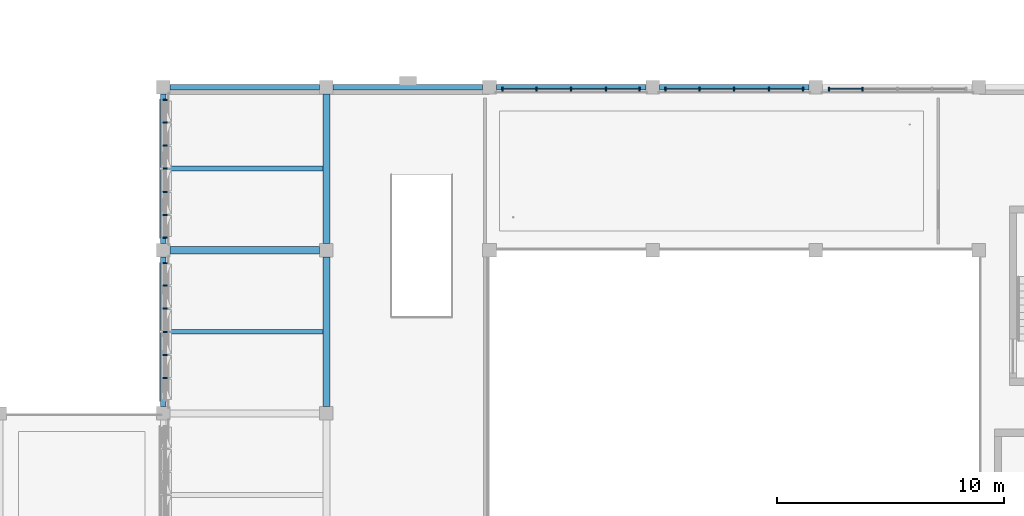
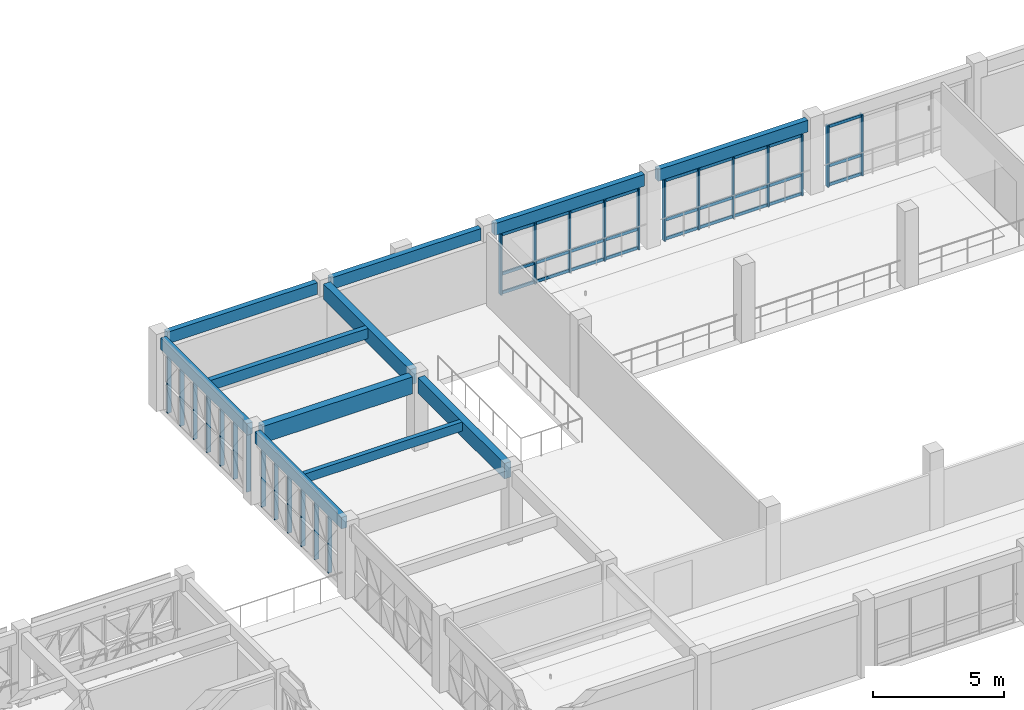
# One storey, part 12 of 85: 52 members, 11 beams, 5 elements without a shape of their own.
"""IFC4 building model written with IfcOpenShell, lengths in metres."""

from ifc_helpers import new_model, si_unit, direction, frame, origin, origin_2d, place, context, subcontext, project, spatial, rectangle, extrude, material, material_profile, profile_set, type_object, element, aggregate, save


model = new_model("IFC4")

# Units and contexts
model_context = context("Model", 3, precision=1e-05, world=origin(), true_north=direction((0.0, 1.0)))
body_context = subcontext(model_context, "Body", "Model", "MODEL_VIEW")
ifc_project = project(units=[si_unit("LENGTHUNIT", "METRE"), si_unit("AREAUNIT", "SQUARE_METRE"), si_unit("VOLUMEUNIT", "CUBIC_METRE"), si_unit("PLANEANGLEUNIT", "RADIAN"), si_unit("MASSUNIT", "GRAM", prefix="KILO")], contexts=[model_context])

# Site, building, storey
site_placement = place(None, origin())
site = spatial("IfcSite", under=ifc_project, at=site_placement, CompositionType="ELEMENT")
building_placement = place(site_placement, origin())
building = spatial("IfcBuilding", under=site, at=building_placement, Name="Alvorim Cloister Faculty of Sciences", CompositionType="ELEMENT")
storey_placement = place(building_placement, frame((0.0, 0.0, 8.550048828125)))
storey = spatial("IfcBuildingStorey", under=building, at=storey_placement, Name="L02", CompositionType="ELEMENT", Elevation=8.550048828125)

# Beams
ifc_material_1 = material(Name="Glulam GL32h", Category="wood")
ifc_material_profile_1 = material_profile(ifc_material_1, rectangle(XDim=0.300048828125, YDim=0.719970703125, at=origin_2d()), Name="GL32-BM-300x720")
ifc_profile_set_1 = profile_set([ifc_material_profile_1], Name="Glulam GL32h")
beam_type_1 = type_object("IfcBeamType", Name="BM-GL-300x720", PredefinedType="BEAM", material=ifc_profile_set_1)
for number, where, z_axis, x_axis, name in (
    (1, (72.0, 14.699951171875, 3.030029296875), (0.0, 1.0, 0.0), (-1.0, 0.0, 0.0), "L02 Primary Girder BM-1427"),
    (2, (72.0, 21.89990234375, 3.030029296875), (0.0, 1.0, 0.0), (-1.0, 0.0, 0.0), "L02 Primary Girder BM-1428"),
):
    element("IfcBeam", number, at=place(storey_placement, frame(where, z_axis=z_axis, x_axis=x_axis)), inside=storey, type_object=beam_type_1, Name=name, PredefinedType="BEAM", context=body_context, shape_type="SweptSolid", body=[
        extrude(rectangle(XDim=0.300048828125, YDim=0.719970703125, at=origin_2d()), origin(), (0.0, 0.0, 1.0), 6.60009765625),
    ])
ifc_material_profile_2 = material_profile(ifc_material_1, rectangle(XDim=0.320068359375, YDim=0.780029296875, at=origin_2d()), Name="GL32-BM-320x780")
ifc_profile_set_2 = profile_set([ifc_material_profile_2], Name="Glulam GL32h")
beam_type_2 = type_object("IfcBeamType", Name="BM-GL-320x780", PredefinedType="BEAM", material=ifc_profile_set_2)
beam_1_placement = place(storey_placement, frame((65.10009765625, 21.60009765625, 3.0), z_axis=(1.0, 0.0, 0.0), x_axis=(0.0, 1.0, 0.0)))
element("IfcBeam", 3, at=beam_1_placement, inside=storey, type_object=beam_type_2, Name="L02 Primary Beam BM-1277", PredefinedType="BEAM", context=body_context, shape_type="SweptSolid", body=[
    extrude(rectangle(XDim=0.320068359375, YDim=0.780029296875, at=origin_2d()), origin(), (0.0, 0.0, 1.0), 6.599853515625),
])
ifc_material_2 = material(Name="Glulam GL28h", Category="wood")
ifc_material_profile_3 = material_profile(ifc_material_2, rectangle(XDim=0.199951171875, YDim=0.419921875, at=origin_2d()), Name="GL28-JST-200x420")
ifc_profile_set_3 = profile_set([ifc_material_profile_3], Name="Glulam GL28h")
beam_type_3 = type_object("IfcBeamType", Name="BM-JST-GL-200x420", PredefinedType="JOIST", material=ifc_profile_set_3)
beam_2_placement = place(storey_placement, frame((64.919921875, 18.0, 3.179931640625), z_axis=(1.0, 0.0, 0.0), x_axis=(0.0, 1.0, 0.0)))
element("IfcBeam", 4, at=beam_2_placement, inside=storey, type_object=beam_type_3, Name="L02 Secondary Floor Joist BM-1495", PredefinedType="JOIST", context=body_context, shape_type="SweptSolid", body=[
    extrude(rectangle(XDim=0.199951171875, YDim=0.419921875, at=origin_2d()), origin(), (0.0, 0.0, 1.0), 6.93017578125),
])
ifc_material_profile_4 = material_profile(ifc_material_2, rectangle(XDim=0.219970703125, YDim=0.47998046875, at=origin_2d()), Name="GL28-JST-220x480")
ifc_profile_set_4 = profile_set([ifc_material_profile_4], Name="Glulam GL28h")
beam_type_4 = type_object("IfcBeamType", Name="BM-JST-GL-220x480", PredefinedType="JOIST", material=ifc_profile_set_4)
beam_3_placement = place(storey_placement, frame((64.919921875, 25.199951171875, 3.14990234375), z_axis=(1.0, 0.0, 0.0), x_axis=(0.0, 1.0, 0.0)))
element("IfcBeam", 5, at=beam_3_placement, inside=storey, type_object=beam_type_4, Name="L02 Secondary Floor Joist BM-1496", PredefinedType="JOIST", context=body_context, shape_type="SweptSolid", body=[
    extrude(rectangle(XDim=0.219970703125, YDim=0.47998046875, at=origin_2d()), origin(), (0.0, 0.0, 1.0), 6.93017578125),
])
ifc_material_profile_5 = material_profile(ifc_material_2, rectangle(XDim=0.239990234375, YDim=0.5400390625, at=origin_2d()), Name="GL28-SPD-240x540")
ifc_profile_set_5 = profile_set([ifc_material_profile_5], Name="Glulam GL28h")
beam_type_5 = type_object("IfcBeamType", Name="BM-SPD-GL-240x540", PredefinedType="SPANDREL", material=ifc_profile_set_5)
for number, where, z_axis, x_axis, name in (
    (6, (65.10009765625, 28.800048828125, 3.119873046875), (1.0, 0.0, 0.0), (0.0, 1.0, 0.0), "L02 Primary Beam BM-1281"),
    (7, (72.300048828125, 28.800048828125, 3.119873046875), (1.0, 0.0, 0.0), (0.0, 1.0, 0.0), "L02 Primary Beam BM-1282"),
):
    element("IfcBeam", number, at=place(storey_placement, frame(where, z_axis=z_axis, x_axis=x_axis)), inside=storey, type_object=beam_type_5, Name=name, PredefinedType="SPANDREL", context=body_context, shape_type="SweptSolid", body=[
        extrude(rectangle(XDim=0.239990234375, YDim=0.5400390625, at=origin_2d()), origin(), (0.0, 0.0, 1.0), 6.599853515625),
    ])
for number, where, z_axis, x_axis, name in (
    (8, (79.5, 28.800048828125, 3.119873046875), (1.0, 0.0, 0.0), (0.0, 1.0, 0.0), "L02 Primary Beam BM-1283"),
    (9, (86.699951171875, 28.800048828125, 3.119873046875), (1.0, 0.0, 0.0), (0.0, 1.0, 0.0), "L02 Primary Beam BM-1284"),
    (10, (64.800048828125, 14.699951171875, 3.119873046875), (0.0, 1.0, 0.0), (-1.0, 0.0, 0.0), "L02 Primary Girder BM-1421"),
    (11, (64.800048828125, 21.89990234375, 3.119873046875), (0.0, 1.0, 0.0), (-1.0, 0.0, 0.0), "L02 Primary Girder BM-1422"),
):
    element("IfcBeam", number, at=place(storey_placement, frame(where, z_axis=z_axis, x_axis=x_axis)), inside=storey, type_object=beam_type_5, Name=name, PredefinedType="SPANDREL", context=body_context, shape_type="SweptSolid", body=[
        extrude(rectangle(XDim=0.239990234375, YDim=0.5400390625, at=origin_2d()), origin(), (0.0, 0.0, 1.0), 6.60009765625),
    ])

# Curtain wall, members
ifc_material_3 = material(Name="Aluminium and Low-E Glass Curtain Wall", Category="aluminium")
curtain_wall_type_1 = type_object("IfcCurtainWallType", Name="CW-TRI-6120x2850", PredefinedType="USERDEFINED", material=ifc_material_3)
curtain_wall_1_placement = place(storey_placement, origin())
curtain_wall_1 = element("IfcCurtainWall", 12, at=curtain_wall_1_placement, inside=storey, type_object=curtain_wall_type_1, Name="L02 Diagonal Cassette Curtain Wall CW-0095", ObjectType="UNITISED CURTAIN WALL", PredefinedType="USERDEFINED")
ifc_material_4 = material(Name="Aluminium Alloy 6063-T6", Category="aluminium")
ifc_material_profile_6 = material_profile(ifc_material_4, rectangle(XDim=0.06494140625, YDim=0.179931640625, at=origin_2d()), Name="ALU-MUL-65x180")
ifc_profile_set_6 = profile_set([ifc_material_profile_6], Name="Aluminium Alloy 6063-T6")
member_type_1 = type_object("IfcMemberType", Name="CW-MUL-65x180", PredefinedType="MULLION", material=ifc_profile_set_6)
member_1_placement = place(storey_placement, frame((64.889892578125, 15.9599609375, 0.0), z_axis=(0.0, 0.0, 1.0), x_axis=(0.0, 1.0, 0.0)))
member_1 = element("IfcMember", 13, at=member_1_placement, type_object=member_type_1, Name="CW-0095 Mullion 2", PredefinedType="MULLION", context=body_context, shape_type="SweptSolid", body=[
    extrude(rectangle(XDim=0.06494140625, YDim=0.179931640625, at=origin_2d()), origin(), (0.0, 0.0, 1.0), 2.849853515625),
])
member_2_placement = place(storey_placement, frame((64.889892578125, 16.97998046875, 0.0), z_axis=(0.0, 0.0, 1.0), x_axis=(0.0, 1.0, 0.0)))
member_2 = element("IfcMember", 14, at=member_2_placement, type_object=member_type_1, Name="CW-0095 Mullion 3", PredefinedType="MULLION", context=body_context, shape_type="SweptSolid", body=[
    extrude(rectangle(XDim=0.06494140625, YDim=0.179931640625, at=origin_2d()), origin(), (0.0, 0.0, 1.0), 2.849853515625),
])
member_3_placement = place(storey_placement, frame((64.889892578125, 18.0, 0.0), z_axis=(0.0, 0.0, 1.0), x_axis=(0.0, 1.0, 0.0)))
member_3 = element("IfcMember", 15, at=member_3_placement, type_object=member_type_1, Name="CW-0095 Mullion 4", PredefinedType="MULLION", context=body_context, shape_type="SweptSolid", body=[
    extrude(rectangle(XDim=0.06494140625, YDim=0.179931640625, at=origin_2d()), origin(), (0.0, 0.0, 1.0), 2.849853515625),
])
member_4_placement = place(storey_placement, frame((64.889892578125, 19.02001953125, 0.0), z_axis=(0.0, 0.0, 1.0), x_axis=(0.0, 1.0, 0.0)))
member_4 = element("IfcMember", 16, at=member_4_placement, type_object=member_type_1, Name="CW-0095 Mullion 5", PredefinedType="MULLION", context=body_context, shape_type="SweptSolid", body=[
    extrude(rectangle(XDim=0.06494140625, YDim=0.179931640625, at=origin_2d()), origin(), (0.0, 0.0, 1.0), 2.849853515625),
])
member_5_placement = place(storey_placement, frame((64.889892578125, 20.0400390625, 0.0), z_axis=(0.0, 0.0, 1.0), x_axis=(0.0, 1.0, 0.0)))
member_5 = element("IfcMember", 17, at=member_5_placement, type_object=member_type_1, Name="CW-0095 Mullion 6", PredefinedType="MULLION", context=body_context, shape_type="SweptSolid", body=[
    extrude(rectangle(XDim=0.06494140625, YDim=0.179931640625, at=origin_2d()), origin(), (0.0, 0.0, 1.0), 2.849853515625),
])
member_6_placement = place(storey_placement, frame((64.889892578125, 21.027587890625, 0.0), z_axis=(0.0, 0.0, 1.0), x_axis=(0.0, 1.0, 0.0)))
member_6 = element("IfcMember", 18, at=member_6_placement, type_object=member_type_1, Name="CW-0095 Mullion 7", PredefinedType="MULLION", context=body_context, shape_type="SweptSolid", body=[
    extrude(rectangle(XDim=0.06494140625, YDim=0.179931640625, at=origin_2d()), origin(), (0.0, 0.0, 1.0), 2.849853515625),
])
aggregate(curtain_wall_1, [member_1, member_2, member_3, member_4, member_5, member_6])

curtain_wall_2_placement = place(storey_placement, origin())
curtain_wall_2 = element("IfcCurtainWall", 19, at=curtain_wall_2_placement, inside=storey, type_object=curtain_wall_type_1, Name="L02 Diagonal Cassette Curtain Wall CW-0096", ObjectType="UNITISED CURTAIN WALL", PredefinedType="USERDEFINED")
member_7_placement = place(storey_placement, frame((64.889892578125, 22.172607421875, 0.0), z_axis=(0.0, 0.0, 1.0), x_axis=(0.0, 1.0, 0.0)))
member_7 = element("IfcMember", 20, at=member_7_placement, type_object=member_type_1, Name="CW-0096 Mullion 1", PredefinedType="MULLION", context=body_context, shape_type="SweptSolid", body=[
    extrude(rectangle(XDim=0.06494140625, YDim=0.179931640625, at=origin_2d()), origin(), (0.0, 0.0, 1.0), 2.849853515625),
])
member_8_placement = place(storey_placement, frame((64.889892578125, 23.159912109375, 0.0), z_axis=(0.0, 0.0, 1.0), x_axis=(0.0, 1.0, 0.0)))
member_8 = element("IfcMember", 21, at=member_8_placement, type_object=member_type_1, Name="CW-0096 Mullion 2", PredefinedType="MULLION", context=body_context, shape_type="SweptSolid", body=[
    extrude(rectangle(XDim=0.06494140625, YDim=0.179931640625, at=origin_2d()), origin(), (0.0, 0.0, 1.0), 2.849853515625),
])
member_9_placement = place(storey_placement, frame((64.889892578125, 24.179931640625, 0.0), z_axis=(0.0, 0.0, 1.0), x_axis=(0.0, 1.0, 0.0)))
member_9 = element("IfcMember", 22, at=member_9_placement, type_object=member_type_1, Name="CW-0096 Mullion 3", PredefinedType="MULLION", context=body_context, shape_type="SweptSolid", body=[
    extrude(rectangle(XDim=0.06494140625, YDim=0.179931640625, at=origin_2d()), origin(), (0.0, 0.0, 1.0), 2.849853515625),
])
member_10_placement = place(storey_placement, frame((64.889892578125, 25.199951171875, 0.0), z_axis=(0.0, 0.0, 1.0), x_axis=(0.0, 1.0, 0.0)))
member_10 = element("IfcMember", 23, at=member_10_placement, type_object=member_type_1, Name="CW-0096 Mullion 4", PredefinedType="MULLION", context=body_context, shape_type="SweptSolid", body=[
    extrude(rectangle(XDim=0.06494140625, YDim=0.179931640625, at=origin_2d()), origin(), (0.0, 0.0, 1.0), 2.849853515625),
])
member_11_placement = place(storey_placement, frame((64.889892578125, 26.219970703125, 0.0), z_axis=(0.0, 0.0, 1.0), x_axis=(0.0, 1.0, 0.0)))
member_11 = element("IfcMember", 24, at=member_11_placement, type_object=member_type_1, Name="CW-0096 Mullion 5", PredefinedType="MULLION", context=body_context, shape_type="SweptSolid", body=[
    extrude(rectangle(XDim=0.06494140625, YDim=0.179931640625, at=origin_2d()), origin(), (0.0, 0.0, 1.0), 2.849853515625),
])
member_12_placement = place(storey_placement, frame((64.889892578125, 27.239990234375, 0.0), z_axis=(0.0, 0.0, 1.0), x_axis=(0.0, 1.0, 0.0)))
member_12 = element("IfcMember", 25, at=member_12_placement, type_object=member_type_1, Name="CW-0096 Mullion 6", PredefinedType="MULLION", context=body_context, shape_type="SweptSolid", body=[
    extrude(rectangle(XDim=0.06494140625, YDim=0.179931640625, at=origin_2d()), origin(), (0.0, 0.0, 1.0), 2.849853515625),
])
member_13_placement = place(storey_placement, frame((64.889892578125, 28.2275390625, 0.0), z_axis=(0.0, 0.0, 1.0), x_axis=(0.0, 1.0, 0.0)))
member_13 = element("IfcMember", 26, at=member_13_placement, type_object=member_type_1, Name="CW-0096 Mullion 7", PredefinedType="MULLION", context=body_context, shape_type="SweptSolid", body=[
    extrude(rectangle(XDim=0.06494140625, YDim=0.179931640625, at=origin_2d()), origin(), (0.0, 0.0, 1.0), 2.849853515625),
])
aggregate(curtain_wall_2, [member_7, member_8, member_9, member_10, member_11, member_12, member_13])

curtain_wall_type_2 = type_object("IfcCurtainWallType", Name="CW-GLZ-6120x2850", PredefinedType="USERDEFINED", material=ifc_material_3)
curtain_wall_3_placement = place(storey_placement, origin())
curtain_wall_3 = element("IfcCurtainWall", 27, at=curtain_wall_3_placement, inside=storey, type_object=curtain_wall_type_2, Name="L02 Entrance and Atrium Glazed Curtain Wall CW-0097", ObjectType="UNITISED CURTAIN WALL", PredefinedType="USERDEFINED")
member_14_placement = place(storey_placement, frame((79.7724609375, 28.7099609375, 0.0), z_axis=(0.0, 0.0, 1.0), x_axis=(1.0, 0.0, 0.0)))
member_14 = element("IfcMember", 28, at=member_14_placement, type_object=member_type_1, Name="CW-10 mullion 1", PredefinedType="MULLION", context=body_context, shape_type="SweptSolid", body=[
    extrude(rectangle(XDim=0.06494140625, YDim=0.179931640625, at=origin_2d()), origin(), (0.0, 0.0, 1.0), 2.849853515625),
])
member_15_placement = place(storey_placement, frame((81.27001953125, 28.7099609375, 0.0), z_axis=(0.0, 0.0, 1.0), x_axis=(1.0, 0.0, 0.0)))
member_15 = element("IfcMember", 29, at=member_15_placement, type_object=member_type_1, Name="CW-10 mullion 2", PredefinedType="MULLION", context=body_context, shape_type="SweptSolid", body=[
    extrude(rectangle(XDim=0.06494140625, YDim=0.179931640625, at=origin_2d()), origin(), (0.0, 0.0, 1.0), 2.849853515625),
])
member_16_placement = place(storey_placement, frame((82.800048828125, 28.7099609375, 0.0), z_axis=(0.0, 0.0, 1.0), x_axis=(1.0, 0.0, 0.0)))
member_16 = element("IfcMember", 30, at=member_16_placement, type_object=member_type_1, Name="CW-10 mullion 3", PredefinedType="MULLION", context=body_context, shape_type="SweptSolid", body=[
    extrude(rectangle(XDim=0.06494140625, YDim=0.179931640625, at=origin_2d()), origin(), (0.0, 0.0, 1.0), 2.849853515625),
])
member_17_placement = place(storey_placement, frame((84.330078125, 28.7099609375, 0.0), z_axis=(0.0, 0.0, 1.0), x_axis=(1.0, 0.0, 0.0)))
member_17 = element("IfcMember", 31, at=member_17_placement, type_object=member_type_1, Name="CW-10 mullion 4", PredefinedType="MULLION", context=body_context, shape_type="SweptSolid", body=[
    extrude(rectangle(XDim=0.06494140625, YDim=0.179931640625, at=origin_2d()), origin(), (0.0, 0.0, 1.0), 2.849853515625),
])
member_18_placement = place(storey_placement, frame((85.827392578125, 28.7099609375, 0.0), z_axis=(0.0, 0.0, 1.0), x_axis=(1.0, 0.0, 0.0)))
member_18 = element("IfcMember", 32, at=member_18_placement, type_object=member_type_1, Name="CW-10 mullion 5", PredefinedType="MULLION", context=body_context, shape_type="SweptSolid", body=[
    extrude(rectangle(XDim=0.06494140625, YDim=0.179931640625, at=origin_2d()), origin(), (0.0, 0.0, 1.0), 2.849853515625),
])

curtain_wall_4_placement = place(storey_placement, origin())
curtain_wall_4 = element("IfcCurtainWall", 33, at=curtain_wall_4_placement, inside=storey, type_object=curtain_wall_type_2, Name="L02 Entrance and Atrium Glazed Curtain Wall CW-0098", ObjectType="UNITISED CURTAIN WALL", PredefinedType="USERDEFINED")
member_19_placement = place(storey_placement, frame((86.972412109375, 28.7099609375, 0.0), z_axis=(0.0, 0.0, 1.0), x_axis=(1.0, 0.0, 0.0)))
member_19 = element("IfcMember", 34, at=member_19_placement, type_object=member_type_1, Name="CW-10 mullion 1", PredefinedType="MULLION", context=body_context, shape_type="SweptSolid", body=[
    extrude(rectangle(XDim=0.06494140625, YDim=0.179931640625, at=origin_2d()), origin(), (0.0, 0.0, 1.0), 2.849853515625),
])
member_20_placement = place(storey_placement, frame((88.469970703125, 28.7099609375, 0.0), z_axis=(0.0, 0.0, 1.0), x_axis=(1.0, 0.0, 0.0)))
member_20 = element("IfcMember", 35, at=member_20_placement, type_object=member_type_1, Name="CW-10 mullion 2", PredefinedType="MULLION", context=body_context, shape_type="SweptSolid", body=[
    extrude(rectangle(XDim=0.06494140625, YDim=0.179931640625, at=origin_2d()), origin(), (0.0, 0.0, 1.0), 2.849853515625),
])
member_21_placement = place(storey_placement, frame((90.0, 28.7099609375, 0.0), z_axis=(0.0, 0.0, 1.0), x_axis=(1.0, 0.0, 0.0)))
member_21 = element("IfcMember", 36, at=member_21_placement, type_object=member_type_1, Name="CW-10 mullion 3", PredefinedType="MULLION", context=body_context, shape_type="SweptSolid", body=[
    extrude(rectangle(XDim=0.06494140625, YDim=0.179931640625, at=origin_2d()), origin(), (0.0, 0.0, 1.0), 2.849853515625),
])
member_22_placement = place(storey_placement, frame((91.530029296875, 28.7099609375, 0.0), z_axis=(0.0, 0.0, 1.0), x_axis=(1.0, 0.0, 0.0)))
member_22 = element("IfcMember", 37, at=member_22_placement, type_object=member_type_1, Name="CW-10 mullion 4", PredefinedType="MULLION", context=body_context, shape_type="SweptSolid", body=[
    extrude(rectangle(XDim=0.06494140625, YDim=0.179931640625, at=origin_2d()), origin(), (0.0, 0.0, 1.0), 2.849853515625),
])
member_23_placement = place(storey_placement, frame((93.027587890625, 28.7099609375, 0.0), z_axis=(0.0, 0.0, 1.0), x_axis=(1.0, 0.0, 0.0)))
member_23 = element("IfcMember", 38, at=member_23_placement, type_object=member_type_1, Name="CW-10 mullion 5", PredefinedType="MULLION", context=body_context, shape_type="SweptSolid", body=[
    extrude(rectangle(XDim=0.06494140625, YDim=0.179931640625, at=origin_2d()), origin(), (0.0, 0.0, 1.0), 2.849853515625),
])

curtain_wall_5_placement = place(storey_placement, origin())
curtain_wall_5 = element("IfcCurtainWall", 39, at=curtain_wall_5_placement, inside=storey, type_object=curtain_wall_type_2, Name="L02 Entrance and Atrium Glazed Curtain Wall CW-0099", ObjectType="UNITISED CURTAIN WALL", PredefinedType="USERDEFINED")
member_24_placement = place(storey_placement, frame((94.172607421875, 28.7099609375, 0.0), z_axis=(0.0, 0.0, 1.0), x_axis=(1.0, 0.0, 0.0)))
member_24 = element("IfcMember", 40, at=member_24_placement, type_object=member_type_1, Name="CW-10 mullion 1", PredefinedType="MULLION", context=body_context, shape_type="SweptSolid", body=[
    extrude(rectangle(XDim=0.06494140625, YDim=0.179931640625, at=origin_2d()), origin(), (0.0, 0.0, 1.0), 2.849853515625),
])
member_25_placement = place(storey_placement, frame((95.669921875, 28.7099609375, 0.0), z_axis=(0.0, 0.0, 1.0), x_axis=(1.0, 0.0, 0.0)))
member_25 = element("IfcMember", 41, at=member_25_placement, type_object=member_type_1, Name="CW-10 mullion 2", PredefinedType="MULLION", context=body_context, shape_type="SweptSolid", body=[
    extrude(rectangle(XDim=0.06494140625, YDim=0.179931640625, at=origin_2d()), origin(), (0.0, 0.0, 1.0), 2.849853515625),
])

# Member
ifc_material_profile_7 = material_profile(ifc_material_4, rectangle(XDim=0.06494140625, YDim=0.139892578125, at=origin_2d()), Name="ALU-TRN-65x140")
ifc_profile_set_7 = profile_set([ifc_material_profile_7], Name="Aluminium Alloy 6063-T6")
member_type_2 = type_object("IfcMemberType", Name="CW-TRN-65x140", PredefinedType="USERDEFINED", material=ifc_profile_set_7)
member_26_placement = place(storey_placement, frame((79.804931640625, 28.7099609375, 0.070068359375), z_axis=(1.0, 0.0, 0.0), x_axis=(0.0, 1.0, 0.0)))
member_26 = element("IfcMember", 42, at=member_26_placement, type_object=member_type_2, Name="CW-10 transom 1.1", ObjectType="TRANSOM", PredefinedType="USERDEFINED", context=body_context, shape_type="SweptSolid", body=[
    extrude(rectangle(XDim=0.06494140625, YDim=0.139892578125, at=origin_2d()), origin(), (0.0, 0.0, 1.0), 1.4326171875),
])

member_27_placement = place(storey_placement, frame((79.804931640625, 28.7099609375, 0.949951171875), z_axis=(1.0, 0.0, 0.0), x_axis=(0.0, 1.0, 0.0)))
member_27 = element("IfcMember", 43, at=member_27_placement, type_object=member_type_2, Name="CW-10 transom 1.2", ObjectType="TRANSOM", PredefinedType="USERDEFINED", context=body_context, shape_type="SweptSolid", body=[
    extrude(rectangle(XDim=0.06494140625, YDim=0.139892578125, at=origin_2d()), origin(), (0.0, 0.0, 1.0), 1.4326171875),
])

member_28_placement = place(storey_placement, frame((79.804931640625, 28.7099609375, 2.780029296875), z_axis=(1.0, 0.0, 0.0), x_axis=(0.0, 1.0, 0.0)))
member_28 = element("IfcMember", 44, at=member_28_placement, type_object=member_type_2, Name="CW-10 transom 1.3", ObjectType="TRANSOM", PredefinedType="USERDEFINED", context=body_context, shape_type="SweptSolid", body=[
    extrude(rectangle(XDim=0.06494140625, YDim=0.139892578125, at=origin_2d()), origin(), (0.0, 0.0, 1.0), 1.4326171875),
])

member_29_placement = place(storey_placement, frame((81.302490234375, 28.7099609375, 0.070068359375), z_axis=(1.0, 0.0, 0.0), x_axis=(0.0, 1.0, 0.0)))
member_29 = element("IfcMember", 45, at=member_29_placement, type_object=member_type_2, Name="CW-10 transom 2.1", ObjectType="TRANSOM", PredefinedType="USERDEFINED", context=body_context, shape_type="SweptSolid", body=[
    extrude(rectangle(XDim=0.06494140625, YDim=0.139892578125, at=origin_2d()), origin(), (0.0, 0.0, 1.0), 1.465087890625),
])

member_30_placement = place(storey_placement, frame((81.302490234375, 28.7099609375, 0.949951171875), z_axis=(1.0, 0.0, 0.0), x_axis=(0.0, 1.0, 0.0)))
member_30 = element("IfcMember", 46, at=member_30_placement, type_object=member_type_2, Name="CW-10 transom 2.2", ObjectType="TRANSOM", PredefinedType="USERDEFINED", context=body_context, shape_type="SweptSolid", body=[
    extrude(rectangle(XDim=0.06494140625, YDim=0.139892578125, at=origin_2d()), origin(), (0.0, 0.0, 1.0), 1.465087890625),
])

member_31_placement = place(storey_placement, frame((81.302490234375, 28.7099609375, 2.780029296875), z_axis=(1.0, 0.0, 0.0), x_axis=(0.0, 1.0, 0.0)))
member_31 = element("IfcMember", 47, at=member_31_placement, type_object=member_type_2, Name="CW-10 transom 2.3", ObjectType="TRANSOM", PredefinedType="USERDEFINED", context=body_context, shape_type="SweptSolid", body=[
    extrude(rectangle(XDim=0.06494140625, YDim=0.139892578125, at=origin_2d()), origin(), (0.0, 0.0, 1.0), 1.465087890625),
])

member_32_placement = place(storey_placement, frame((82.83251953125, 28.7099609375, 0.070068359375), z_axis=(1.0, 0.0, 0.0), x_axis=(0.0, 1.0, 0.0)))
member_32 = element("IfcMember", 48, at=member_32_placement, type_object=member_type_2, Name="CW-10 transom 3.1", ObjectType="TRANSOM", PredefinedType="USERDEFINED", context=body_context, shape_type="SweptSolid", body=[
    extrude(rectangle(XDim=0.06494140625, YDim=0.139892578125, at=origin_2d()), origin(), (0.0, 0.0, 1.0), 1.465087890625),
])

member_33_placement = place(storey_placement, frame((82.83251953125, 28.7099609375, 0.949951171875), z_axis=(1.0, 0.0, 0.0), x_axis=(0.0, 1.0, 0.0)))
member_33 = element("IfcMember", 49, at=member_33_placement, type_object=member_type_2, Name="CW-10 transom 3.2", ObjectType="TRANSOM", PredefinedType="USERDEFINED", context=body_context, shape_type="SweptSolid", body=[
    extrude(rectangle(XDim=0.06494140625, YDim=0.139892578125, at=origin_2d()), origin(), (0.0, 0.0, 1.0), 1.465087890625),
])

member_34_placement = place(storey_placement, frame((82.83251953125, 28.7099609375, 2.780029296875), z_axis=(1.0, 0.0, 0.0), x_axis=(0.0, 1.0, 0.0)))
member_34 = element("IfcMember", 50, at=member_34_placement, type_object=member_type_2, Name="CW-10 transom 3.3", ObjectType="TRANSOM", PredefinedType="USERDEFINED", context=body_context, shape_type="SweptSolid", body=[
    extrude(rectangle(XDim=0.06494140625, YDim=0.139892578125, at=origin_2d()), origin(), (0.0, 0.0, 1.0), 1.465087890625),
])

member_35_placement = place(storey_placement, frame((84.362548828125, 28.7099609375, 0.070068359375), z_axis=(1.0, 0.0, 0.0), x_axis=(0.0, 1.0, 0.0)))
member_35 = element("IfcMember", 51, at=member_35_placement, type_object=member_type_2, Name="CW-10 transom 4.1", ObjectType="TRANSOM", PredefinedType="USERDEFINED", context=body_context, shape_type="SweptSolid", body=[
    extrude(rectangle(XDim=0.06494140625, YDim=0.139892578125, at=origin_2d()), origin(), (0.0, 0.0, 1.0), 1.432373046875),
])

member_36_placement = place(storey_placement, frame((84.362548828125, 28.7099609375, 0.949951171875), z_axis=(1.0, 0.0, 0.0), x_axis=(0.0, 1.0, 0.0)))
member_36 = element("IfcMember", 52, at=member_36_placement, type_object=member_type_2, Name="CW-10 transom 4.2", ObjectType="TRANSOM", PredefinedType="USERDEFINED", context=body_context, shape_type="SweptSolid", body=[
    extrude(rectangle(XDim=0.06494140625, YDim=0.139892578125, at=origin_2d()), origin(), (0.0, 0.0, 1.0), 1.432373046875),
])

member_37_placement = place(storey_placement, frame((84.362548828125, 28.7099609375, 2.780029296875), z_axis=(1.0, 0.0, 0.0), x_axis=(0.0, 1.0, 0.0)))
member_37 = element("IfcMember", 53, at=member_37_placement, type_object=member_type_2, Name="CW-10 transom 4.3", ObjectType="TRANSOM", PredefinedType="USERDEFINED", context=body_context, shape_type="SweptSolid", body=[
    extrude(rectangle(XDim=0.06494140625, YDim=0.139892578125, at=origin_2d()), origin(), (0.0, 0.0, 1.0), 1.432373046875),
])

aggregate(curtain_wall_3, [member_14, member_15, member_16, member_17, member_18, member_26, member_27, member_28, member_29, member_30, member_31, member_32, member_33, member_34, member_35, member_36, member_37])

member_38_placement = place(storey_placement, frame((87.0048828125, 28.7099609375, 0.070068359375), z_axis=(1.0, 0.0, 0.0), x_axis=(0.0, 1.0, 0.0)))
member_38 = element("IfcMember", 54, at=member_38_placement, type_object=member_type_2, Name="CW-10 transom 1.1", ObjectType="TRANSOM", PredefinedType="USERDEFINED", context=body_context, shape_type="SweptSolid", body=[
    extrude(rectangle(XDim=0.06494140625, YDim=0.139892578125, at=origin_2d()), origin(), (0.0, 0.0, 1.0), 1.4326171875),
])

member_39_placement = place(storey_placement, frame((87.0048828125, 28.7099609375, 0.949951171875), z_axis=(1.0, 0.0, 0.0), x_axis=(0.0, 1.0, 0.0)))
member_39 = element("IfcMember", 55, at=member_39_placement, type_object=member_type_2, Name="CW-10 transom 1.2", ObjectType="TRANSOM", PredefinedType="USERDEFINED", context=body_context, shape_type="SweptSolid", body=[
    extrude(rectangle(XDim=0.06494140625, YDim=0.139892578125, at=origin_2d()), origin(), (0.0, 0.0, 1.0), 1.4326171875),
])

member_40_placement = place(storey_placement, frame((87.0048828125, 28.7099609375, 2.780029296875), z_axis=(1.0, 0.0, 0.0), x_axis=(0.0, 1.0, 0.0)))
member_40 = element("IfcMember", 56, at=member_40_placement, type_object=member_type_2, Name="CW-10 transom 1.3", ObjectType="TRANSOM", PredefinedType="USERDEFINED", context=body_context, shape_type="SweptSolid", body=[
    extrude(rectangle(XDim=0.06494140625, YDim=0.139892578125, at=origin_2d()), origin(), (0.0, 0.0, 1.0), 1.4326171875),
])

member_41_placement = place(storey_placement, frame((88.50244140625, 28.7099609375, 0.070068359375), z_axis=(1.0, 0.0, 0.0), x_axis=(0.0, 1.0, 0.0)))
member_41 = element("IfcMember", 57, at=member_41_placement, type_object=member_type_2, Name="CW-10 transom 2.1", ObjectType="TRANSOM", PredefinedType="USERDEFINED", context=body_context, shape_type="SweptSolid", body=[
    extrude(rectangle(XDim=0.06494140625, YDim=0.139892578125, at=origin_2d()), origin(), (0.0, 0.0, 1.0), 1.465087890625),
])

member_42_placement = place(storey_placement, frame((88.50244140625, 28.7099609375, 0.949951171875), z_axis=(1.0, 0.0, 0.0), x_axis=(0.0, 1.0, 0.0)))
member_42 = element("IfcMember", 58, at=member_42_placement, type_object=member_type_2, Name="CW-10 transom 2.2", ObjectType="TRANSOM", PredefinedType="USERDEFINED", context=body_context, shape_type="SweptSolid", body=[
    extrude(rectangle(XDim=0.06494140625, YDim=0.139892578125, at=origin_2d()), origin(), (0.0, 0.0, 1.0), 1.465087890625),
])

member_43_placement = place(storey_placement, frame((88.50244140625, 28.7099609375, 2.780029296875), z_axis=(1.0, 0.0, 0.0), x_axis=(0.0, 1.0, 0.0)))
member_43 = element("IfcMember", 59, at=member_43_placement, type_object=member_type_2, Name="CW-10 transom 2.3", ObjectType="TRANSOM", PredefinedType="USERDEFINED", context=body_context, shape_type="SweptSolid", body=[
    extrude(rectangle(XDim=0.06494140625, YDim=0.139892578125, at=origin_2d()), origin(), (0.0, 0.0, 1.0), 1.465087890625),
])

member_44_placement = place(storey_placement, frame((90.032470703125, 28.7099609375, 0.070068359375), z_axis=(1.0, 0.0, 0.0), x_axis=(0.0, 1.0, 0.0)))
member_44 = element("IfcMember", 60, at=member_44_placement, type_object=member_type_2, Name="CW-10 transom 3.1", ObjectType="TRANSOM", PredefinedType="USERDEFINED", context=body_context, shape_type="SweptSolid", body=[
    extrude(rectangle(XDim=0.06494140625, YDim=0.139892578125, at=origin_2d()), origin(), (0.0, 0.0, 1.0), 1.465087890625),
])

member_45_placement = place(storey_placement, frame((90.032470703125, 28.7099609375, 0.949951171875), z_axis=(1.0, 0.0, 0.0), x_axis=(0.0, 1.0, 0.0)))
member_45 = element("IfcMember", 61, at=member_45_placement, type_object=member_type_2, Name="CW-10 transom 3.2", ObjectType="TRANSOM", PredefinedType="USERDEFINED", context=body_context, shape_type="SweptSolid", body=[
    extrude(rectangle(XDim=0.06494140625, YDim=0.139892578125, at=origin_2d()), origin(), (0.0, 0.0, 1.0), 1.465087890625),
])

member_46_placement = place(storey_placement, frame((90.032470703125, 28.7099609375, 2.780029296875), z_axis=(1.0, 0.0, 0.0), x_axis=(0.0, 1.0, 0.0)))
member_46 = element("IfcMember", 62, at=member_46_placement, type_object=member_type_2, Name="CW-10 transom 3.3", ObjectType="TRANSOM", PredefinedType="USERDEFINED", context=body_context, shape_type="SweptSolid", body=[
    extrude(rectangle(XDim=0.06494140625, YDim=0.139892578125, at=origin_2d()), origin(), (0.0, 0.0, 1.0), 1.465087890625),
])

member_47_placement = place(storey_placement, frame((91.5625, 28.7099609375, 0.070068359375), z_axis=(1.0, 0.0, 0.0), x_axis=(0.0, 1.0, 0.0)))
member_47 = element("IfcMember", 63, at=member_47_placement, type_object=member_type_2, Name="CW-10 transom 4.1", ObjectType="TRANSOM", PredefinedType="USERDEFINED", context=body_context, shape_type="SweptSolid", body=[
    extrude(rectangle(XDim=0.06494140625, YDim=0.139892578125, at=origin_2d()), origin(), (0.0, 0.0, 1.0), 1.4326171875),
])

member_48_placement = place(storey_placement, frame((91.5625, 28.7099609375, 0.949951171875), z_axis=(1.0, 0.0, 0.0), x_axis=(0.0, 1.0, 0.0)))
member_48 = element("IfcMember", 64, at=member_48_placement, type_object=member_type_2, Name="CW-10 transom 4.2", ObjectType="TRANSOM", PredefinedType="USERDEFINED", context=body_context, shape_type="SweptSolid", body=[
    extrude(rectangle(XDim=0.06494140625, YDim=0.139892578125, at=origin_2d()), origin(), (0.0, 0.0, 1.0), 1.4326171875),
])

member_49_placement = place(storey_placement, frame((91.5625, 28.7099609375, 2.780029296875), z_axis=(1.0, 0.0, 0.0), x_axis=(0.0, 1.0, 0.0)))
member_49 = element("IfcMember", 65, at=member_49_placement, type_object=member_type_2, Name="CW-10 transom 4.3", ObjectType="TRANSOM", PredefinedType="USERDEFINED", context=body_context, shape_type="SweptSolid", body=[
    extrude(rectangle(XDim=0.06494140625, YDim=0.139892578125, at=origin_2d()), origin(), (0.0, 0.0, 1.0), 1.4326171875),
])

aggregate(curtain_wall_4, [member_19, member_20, member_21, member_22, member_23, member_38, member_39, member_40, member_41, member_42, member_43, member_44, member_45, member_46, member_47, member_48, member_49])

member_50_placement = place(storey_placement, frame((94.205078125, 28.7099609375, 0.070068359375), z_axis=(1.0, 0.0, 0.0), x_axis=(0.0, 1.0, 0.0)))
member_50 = element("IfcMember", 66, at=member_50_placement, type_object=member_type_2, Name="CW-10 transom 1.1", ObjectType="TRANSOM", PredefinedType="USERDEFINED", context=body_context, shape_type="SweptSolid", body=[
    extrude(rectangle(XDim=0.06494140625, YDim=0.139892578125, at=origin_2d()), origin(), (0.0, 0.0, 1.0), 1.432373046875),
])

member_51_placement = place(storey_placement, frame((94.205078125, 28.7099609375, 0.949951171875), z_axis=(1.0, 0.0, 0.0), x_axis=(0.0, 1.0, 0.0)))
member_51 = element("IfcMember", 67, at=member_51_placement, type_object=member_type_2, Name="CW-10 transom 1.2", ObjectType="TRANSOM", PredefinedType="USERDEFINED", context=body_context, shape_type="SweptSolid", body=[
    extrude(rectangle(XDim=0.06494140625, YDim=0.139892578125, at=origin_2d()), origin(), (0.0, 0.0, 1.0), 1.432373046875),
])

member_52_placement = place(storey_placement, frame((94.205078125, 28.7099609375, 2.780029296875), z_axis=(1.0, 0.0, 0.0), x_axis=(0.0, 1.0, 0.0)))
member_52 = element("IfcMember", 68, at=member_52_placement, type_object=member_type_2, Name="CW-10 transom 1.3", ObjectType="TRANSOM", PredefinedType="USERDEFINED", context=body_context, shape_type="SweptSolid", body=[
    extrude(rectangle(XDim=0.06494140625, YDim=0.139892578125, at=origin_2d()), origin(), (0.0, 0.0, 1.0), 1.432373046875),
])

aggregate(curtain_wall_5, [member_24, member_25, member_50, member_51, member_52])

save(model, "model.ifc")
